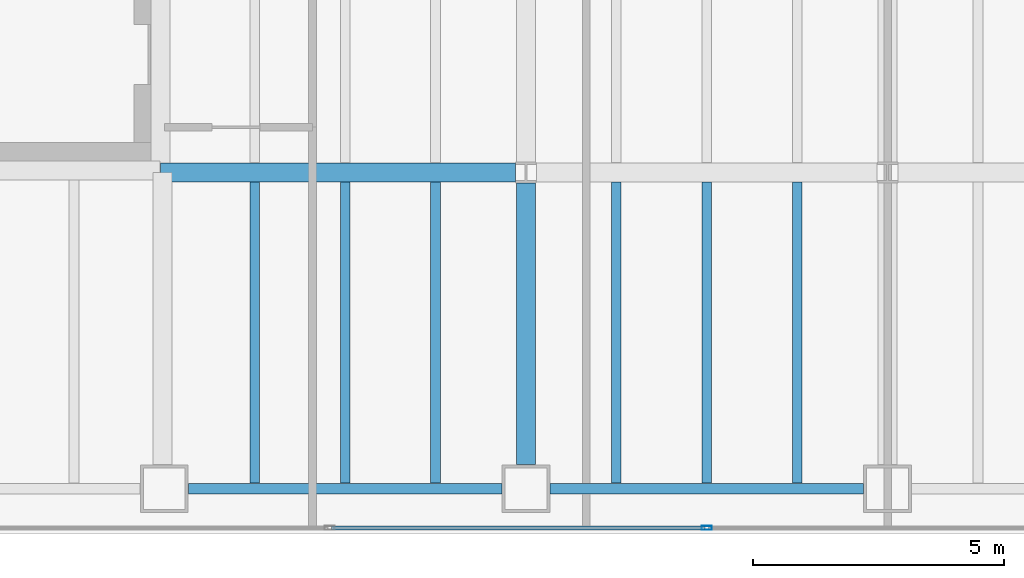
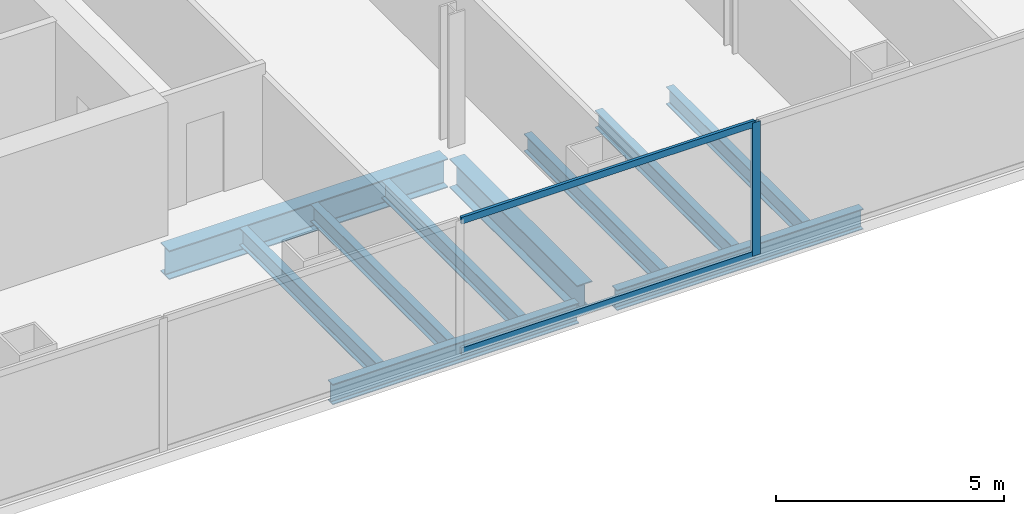
# One storey, part 4 of 23: 10 beams, 3 members, 1 element without a shape of its own.
"""IFC4 building model written with IfcOpenShell, lengths in metres."""

import ifcopenshell
import ifcopenshell.guid

model = None  # the IFC model being written
_history = None  # IfcOwnerHistory: only IFC2X3 demands one
_inside = {}  # id of a spatial element -> (the spatial element, [elements in it])
_under = {}  # id of a project, library or spatial element -> (it, [spatial elements below it])
_declared = {}  # id of a project -> (the project, [libraries it declares])
_typed = {}  # id of a type object -> (the type object, [elements of that type])
_made_of = {}  # id of a material, layer set ... -> (it, [elements and type objects made of it])


def new_model(schema):
    """Start an empty IFC model of exactly this schema.

    Asked for "IFC4X3", IfcOpenShell would pick the latest addendum, in which some entities
    have other attributes; the version numbers below select the first issue.
    IFC2X3 requires an IfcOwnerHistory on every rooted entity: one is made here for all.
    """
    global model, _history
    if schema == "IFC4X3":
        model = ifcopenshell.file(schema_version=(4, 3, 0, 0))
    else:
        model = ifcopenshell.file(schema=schema)
    _inside.clear()
    _under.clear()
    _declared.clear()
    _typed.clear()
    _made_of.clear()
    _history = None
    if model.schema == "IFC2X3":
        org = make("IfcOrganization", Name="unknown")
        user = make(
            "IfcPersonAndOrganization",
            ThePerson=make("IfcPerson", FamilyName="unknown"),
            TheOrganization=org,
        )
        app = make(
            "IfcApplication",
            ApplicationDeveloper=org,
            Version="unknown",
            ApplicationFullName="unknown",
            ApplicationIdentifier="unknown",
        )
        _history = make(
            "IfcOwnerHistory",
            OwningUser=user,
            OwningApplication=app,
            ChangeAction="ADDED",
            CreationDate=0,
        )
    return model


def make(cls, **values):
    """One entity of the class cls with the attributes given. An attribute that is None is left unset."""
    return model.create_entity(
        cls, **{name: value for name, value in values.items() if value is not None}
    )


def rooted(cls, **values):
    """An entity with a GlobalId (a new one), such as an element, a storey or a relation."""
    return make(cls, GlobalId=ifcopenshell.guid.new(), OwnerHistory=_history, **values)


def si_unit(unit_type, name, prefix=None):
    """IfcSIUnit, for example si_unit("LENGTHUNIT", "METRE", prefix="MILLI")."""
    return make("IfcSIUnit", UnitType=unit_type, Prefix=prefix, Name=name)


def assignment(units):
    """IfcUnitAssignment: the units of a project."""
    return None if units is None else make("IfcUnitAssignment", Units=units)


def point(xyz):
    """IfcCartesianPoint."""
    return None if xyz is None else make("IfcCartesianPoint", Coordinates=xyz)


def direction(xyz):
    """IfcDirection."""
    return None if xyz is None else make("IfcDirection", DirectionRatios=xyz)


def frame(location, z_axis=None, x_axis=None):
    """IfcAxis2Placement3D, a coordinate frame: its origin and axes. An axis left out is left unset."""
    return make(
        "IfcAxis2Placement3D",
        Location=point(location),
        Axis=direction(z_axis),
        RefDirection=direction(x_axis),
    )


def frame_2d(location, x_axis=None):
    """IfcAxis2Placement2D, a coordinate frame in the plane: its origin and x axis."""
    return make(
        "IfcAxis2Placement2D", Location=point(location), RefDirection=direction(x_axis)
    )


def origin():
    """The frame at (0, 0, 0) with its axes left unset."""
    return frame((0.0, 0.0, 0.0))


def origin_2d():
    """The frame at (0, 0) in the plane with its x axis left unset."""
    return frame_2d((0.0, 0.0))


def place(relative_to, where):
    """IfcLocalPlacement: puts the frame where relative to a parent placement (None: the world)."""
    return make(
        "IfcLocalPlacement", PlacementRelTo=relative_to, RelativePlacement=where
    )


def context(
    kind, dimensions, precision=None, world=None, true_north=None, identifier=None
):
    """IfcGeometricRepresentationContext, for example the 3D "Model" context."""
    return make(
        "IfcGeometricRepresentationContext",
        ContextIdentifier=identifier,
        ContextType=kind,
        CoordinateSpaceDimension=dimensions,
        Precision=precision,
        WorldCoordinateSystem=world,
        TrueNorth=true_north,
    )


def subcontext(parent, identifier, kind, view, scale=None):
    """IfcGeometricRepresentationSubContext, for example "Body" below "Model"."""
    return make(
        "IfcGeometricRepresentationSubContext",
        ContextIdentifier=identifier,
        ContextType=kind,
        ParentContext=parent,
        TargetScale=scale,
        TargetView=view,
    )


def project(units=None, contexts=None):
    """IfcProject with its units and contexts."""
    return rooted(
        "IfcProject",
        Name="project",
        RepresentationContexts=contexts,
        UnitsInContext=assignment(units),
    )


def spatial(cls, under=None, at=None, **own):
    """A site, building, storey or space (cls), placed at a placement, below another one or the project."""
    s = rooted(cls, ObjectPlacement=at, **own)
    if under is not None:
        _under.setdefault(under.id(), (under, []))[1].append(s)
    return s


def profile(cls, at=None, kind="AREA", **sizes):
    """A parametric profile (cls). Its sizes go by their IFC names, for example OverallWidth=200.0."""
    return make(cls, ProfileType=kind, Position=at, **sizes)


def hollow_rectangle(**sizes):
    """IfcRectangleHollowProfileDef."""
    return profile("IfcRectangleHollowProfileDef", **sizes)


def i_section(**sizes):
    """IfcIShapeProfileDef."""
    return profile("IfcIShapeProfileDef", **sizes)


def extrude(swept, where, along, depth):
    """IfcExtrudedAreaSolid: the profile swept, set in the frame where, extruded along a direction by depth."""
    return make(
        "IfcExtrudedAreaSolid",
        SweptArea=swept,
        Position=where,
        ExtrudedDirection=direction(along),
        Depth=depth,
    )


def shape(context_of_items, identifier, shape_type, items):
    """IfcShapeRepresentation: the items that make up one representation, for example the "Body"."""
    return make(
        "IfcShapeRepresentation",
        ContextOfItems=context_of_items,
        RepresentationIdentifier=identifier,
        RepresentationType=shape_type,
        Items=items,
    )


def material(Name=None, Category=None):
    """IfcMaterial."""
    return make("IfcMaterial", Name=Name, Category=Category)


def material_profile(
    of_material, cross_section, Name=None, Category=None, Priority=None
):
    """IfcMaterialProfile: a cross section and its material."""
    return make(
        "IfcMaterialProfile",
        Name=Name,
        Material=of_material,
        Profile=cross_section,
        Priority=Priority,
        Category=Category,
    )


def profile_set(profiles, Name=None, composite=None):
    """IfcMaterialProfileSet."""
    return make(
        "IfcMaterialProfileSet",
        Name=Name,
        MaterialProfiles=profiles,
        CompositeProfile=composite,
    )


def made_of(thing, what):
    """Note that an element or type object is made of a material, layer set ...; save() writes the relation."""
    if what is not None:
        _made_of.setdefault(what.id(), (what, []))[1].append(thing)
    return thing


def type_object(cls, material=None, **own):
    """A type object (cls), such as IfcWallType, which elements share."""
    return made_of(rooted(cls, **own), material)


def element(
    cls,
    number,
    at=None,
    inside=None,
    cuts=None,
    type_object=None,
    material=None,
    context=None,
    identifier="Body",
    shape_type=None,
    held_by="IfcProductDefinitionShape",
    body=None,
    shapes=None,
    **own,
):
    """One element of the class cls, such as IfcWall. Its Tag is "e" and its number.

    at: its placement. inside: the storey or other place that contains it. cuts: it is an
    opening in that element (IfcRelVoidsElement). A single representation is given by context,
    identifier, shape_type and body (its items); several are given by shapes. held_by: the class
    of the entity that holds the representations. save() writes the other relations.
    """
    e = rooted(cls, Tag="e%d" % number, ObjectPlacement=at, **own)
    if body is not None:
        shapes = [shape(context, identifier, shape_type, body)]
    if shapes is not None:
        e.Representation = make(held_by, Representations=shapes)
    if inside is not None:
        _inside.setdefault(inside.id(), (inside, []))[1].append(e)
    if cuts is not None:
        rooted(
            "IfcRelVoidsElement", RelatingBuildingElement=cuts, RelatedOpeningElement=e
        )
    if type_object is not None:
        _typed.setdefault(type_object.id(), (type_object, []))[1].append(e)
    return made_of(e, material)


def aggregate(whole, parts):
    """IfcRelAggregates: a whole, such as a stair, and the parts it consists of."""
    return rooted("IfcRelAggregates", RelatingObject=whole, RelatedObjects=parts)


def save(model, path):
    """Write the relations noted so far, then the file.

    IfcRelAggregates (storeys below a building ...), IfcRelContainedInSpatialStructure (elements
    in a storey), IfcRelDefinesByType, IfcRelAssociatesMaterial and IfcRelDeclares: one each for
    every whole, place, type object, material and project.
    """
    for whole, parts in _under.values():
        aggregate(whole, parts)
    for where, things in _inside.values():
        rooted(
            "IfcRelContainedInSpatialStructure",
            RelatedElements=things,
            RelatingStructure=where,
        )
    for kind, things in _typed.values():
        rooted("IfcRelDefinesByType", RelatedObjects=things, RelatingType=kind)
    for what, things in _made_of.values():
        rooted("IfcRelAssociatesMaterial", RelatedObjects=things, RelatingMaterial=what)
    for by, libraries in _declared.values():
        rooted("IfcRelDeclares", RelatingContext=by, RelatedDefinitions=libraries)
    model.write(path)


model = new_model("IFC4")

# Units and contexts
model_context = context("Model", 3, precision=1e-05, world=origin(), true_north=direction((0.0, 1.0)))
body_context = subcontext(model_context, "Body", "Model", "MODEL_VIEW")
ifc_project = project(units=[si_unit("LENGTHUNIT", "METRE"), si_unit("AREAUNIT", "SQUARE_METRE"), si_unit("VOLUMEUNIT", "CUBIC_METRE"), si_unit("PLANEANGLEUNIT", "RADIAN"), si_unit("MASSUNIT", "GRAM", prefix="KILO")], contexts=[model_context])

# Site, building, storey
site_placement = place(None, origin())
site = spatial("IfcSite", under=ifc_project, at=site_placement, CompositionType="ELEMENT")
building_placement = place(site_placement, origin())
building = spatial("IfcBuilding", under=site, at=building_placement, Name="Cobrela Telecom Tower", CompositionType="ELEMENT")
storey_placement = place(building_placement, frame((0.0, 0.0, 81.199951171875)))
storey = spatial("IfcBuildingStorey", under=building, at=storey_placement, Name="L20", CompositionType="ELEMENT", Elevation=81.199951171875)

# Beams
ifc_material_1 = material(Name="Steel ASTM A992 Grade 50", Category="steel")
ifc_material_profile_1 = material_profile(ifc_material_1, i_section(OverallWidth=0.381103515625, OverallDepth=0.77197265625, WebThickness=0.0166015625, FlangeThickness=0.027099609375, FilletRadius=0.01904296875, at=origin_2d()), Name="W30X173")
ifc_profile_set_1 = profile_set([ifc_material_profile_1], Name="Steel ASTM A992 Grade 50")
beam_type_1 = type_object("IfcBeamType", Name="BM-GIRD-04", PredefinedType="USERDEFINED", material=ifc_profile_set_1)
beam_1_placement = place(storey_placement, frame((14.324951171875, 7.199951171875, -0.666015625), z_axis=(1.0, 0.0, 0.0), x_axis=(0.0, 1.0, 0.0)))
element("IfcBeam", 1, at=beam_1_placement, inside=storey, type_object=beam_type_1, Name="L20 Primary Girder X08", ObjectType="GIRDER", PredefinedType="USERDEFINED", context=body_context, shape_type="SweptSolid", body=[
    extrude(i_section(OverallWidth=0.381103515625, OverallDepth=0.77197265625, WebThickness=0.0166015625, FlangeThickness=0.027099609375, FilletRadius=0.01904296875, at=origin_2d()), origin(), (0.0, 0.0, 1.0), 7.0654296875),
])
beam_2_placement = place(storey_placement, frame((21.60009765625, 1.3798828125, -0.666015625), z_axis=(0.0, 1.0, 0.0), x_axis=(-1.0, 0.0, 0.0)))
element("IfcBeam", 2, at=beam_2_placement, inside=storey, type_object=beam_type_1, Name="L20 Primary Girder Y40", ObjectType="GIRDER", PredefinedType="USERDEFINED", context=body_context, shape_type="SweptSolid", body=[
    extrude(i_section(OverallWidth=0.381103515625, OverallDepth=0.77197265625, WebThickness=0.0166015625, FlangeThickness=0.027099609375, FilletRadius=0.01904296875, at=origin_2d()), origin(), (0.0, 0.0, 1.0), 5.610595703125),
])
ifc_material_profile_2 = material_profile(ifc_material_1, i_section(OverallWidth=0.193115234375, OverallDepth=0.467041015625, WebThickness=0.011474609375, FlangeThickness=0.01904296875, FilletRadius=0.012939453125, at=origin_2d()), Name="W18X65")
ifc_profile_set_2 = profile_set([ifc_material_profile_2], Name="Steel ASTM A992 Grade 50")
beam_type_2 = type_object("IfcBeamType", Name="BM-JOIST-03", PredefinedType="JOIST", material=ifc_profile_set_2)
for number, where, z_axis, x_axis, name in (
    (3, (16.199951171875, 1.011474609375, -0.513427734375), (0.0, 1.0, 0.0), (-1.0, 0.0, 0.0), "L20 Secondary Composite Floor Beam J07"),
    (4, (18.0, 1.011474609375, -0.513427734375), (0.0, 1.0, 0.0), (-1.0, 0.0, 0.0), "L20 Secondary Composite Floor Beam J13"),
    (5, (19.800048828125, 1.011474609375, -0.513427734375), (0.0, 1.0, 0.0), (-1.0, 0.0, 0.0), "L20 Secondary Composite Floor Beam J19"),
    (6, (23.39990234375, 1.011474609375, -0.513427734375), (0.0, 1.0, 0.0), (-1.0, 0.0, 0.0), "L20 Secondary Composite Floor Beam J25"),
    (7, (25.199951171875, 1.011474609375, -0.513427734375), (0.0, 1.0, 0.0), (-1.0, 0.0, 0.0), "L20 Secondary Composite Floor Beam J31"),
    (8, (27.0, 1.011474609375, -0.513427734375), (0.0, 1.0, 0.0), (-1.0, 0.0, 0.0), "L20 Secondary Composite Floor Beam J36"),
):
    element("IfcBeam", number, at=place(storey_placement, frame(where, z_axis=z_axis, x_axis=x_axis)), inside=storey, type_object=beam_type_2, Name=name, PredefinedType="JOIST", context=body_context, shape_type="SweptSolid", body=[
        extrude(i_section(OverallWidth=0.193115234375, OverallDepth=0.467041015625, WebThickness=0.011474609375, FlangeThickness=0.01904296875, FilletRadius=0.012939453125, at=origin_2d()), origin(), (0.0, 0.0, 1.0), 5.992919921875),
    ])
ifc_material_profile_3 = material_profile(ifc_material_1, i_section(OverallWidth=0.212890625, OverallDepth=0.549072265625, WebThickness=0.0146484375, FlangeThickness=0.023681640625, FilletRadius=0.013916015625, at=origin_2d()), Name="W21X93")
ifc_profile_set_3 = profile_set([ifc_material_profile_3], Name="Steel ASTM A992 Grade 50")
beam_type_3 = type_object("IfcBeamType", Name="BM-SPAND-03", PredefinedType="SPANDREL", material=ifc_profile_set_3)
beam_3_placement = place(storey_placement, frame((14.8798828125, 0.89990234375, -0.554443359375), z_axis=(1.0, 0.0, 0.0), x_axis=(0.0, 1.0, 0.0)))
element("IfcBeam", 9, at=beam_3_placement, inside=storey, type_object=beam_type_3, Name="L20 Perimeter Spandrel X02", PredefinedType="SPANDREL", context=body_context, shape_type="SweptSolid", body=[
    extrude(i_section(OverallWidth=0.212890625, OverallDepth=0.549072265625, WebThickness=0.0146484375, FlangeThickness=0.023681640625, FilletRadius=0.013916015625, at=origin_2d()), origin(), (0.0, 0.0, 1.0), 6.240234375),
])
beam_4_placement = place(storey_placement, frame((22.080078125, 0.89990234375, -0.554443359375), z_axis=(1.0, 0.0, 0.0), x_axis=(0.0, 1.0, 0.0)))
element("IfcBeam", 10, at=beam_4_placement, inside=storey, type_object=beam_type_3, Name="L20 Perimeter Spandrel X03", PredefinedType="SPANDREL", context=body_context, shape_type="SweptSolid", body=[
    extrude(i_section(OverallWidth=0.212890625, OverallDepth=0.549072265625, WebThickness=0.0146484375, FlangeThickness=0.023681640625, FilletRadius=0.013916015625, at=origin_2d()), origin(), (0.0, 0.0, 1.0), 6.239990234375),
])

# Curtain wall, members
ifc_material_2 = material(Name="Anodized Bronze Aluminium 6063-T6", Category="aluminium")
curtain_wall_type = type_object("IfcCurtainWallType", Name="CW-SYS-DATA", PredefinedType="USERDEFINED", material=ifc_material_2)
curtain_wall_placement = place(storey_placement, origin())
curtain_wall = element("IfcCurtainWall", 11, at=curtain_wall_placement, inside=storey, type_object=curtain_wall_type, Name="L20 Unitised Bronze Curtain Wall 17", ObjectType="UNITISED CURTAIN WALL", PredefinedType="USERDEFINED")
ifc_material_profile_4 = material_profile(ifc_material_2, hollow_rectangle(XDim=0.080078125, YDim=0.199951171875, WallThickness=0.00390625, at=origin_2d()), Name="ALU 80x200x4")
ifc_profile_set_4 = profile_set([ifc_material_profile_4], Name="Anodized Bronze Aluminium 6063-T6")
member_type_1 = type_object("IfcMemberType", Name="CW-SYS-DATA-MUL", PredefinedType="MULLION", material=ifc_profile_set_4)
member_1_placement = place(storey_placement, frame((25.199951171875, 0.1201171875, 0.0), z_axis=(0.0, 0.0, 1.0), x_axis=(0.0, -1.0, 0.0)))
member_1 = element("IfcMember", 12, at=member_1_placement, type_object=member_type_1, Name="CW-DATA mullion 4", PredefinedType="MULLION", context=body_context, shape_type="SweptSolid", body=[
    extrude(hollow_rectangle(XDim=0.080078125, YDim=0.199951171875, WallThickness=0.00390625, at=origin_2d()), origin(), (0.0, 0.0, 1.0), 3.570068359375),
])
ifc_material_profile_5 = material_profile(ifc_material_2, hollow_rectangle(XDim=0.074951171875, YDim=0.179931640625, WallThickness=0.00390625, at=origin_2d()), Name="ALU 75x180x4")
ifc_profile_set_5 = profile_set([ifc_material_profile_5], Name="Anodized Bronze Aluminium 6063-T6")
member_type_2 = type_object("IfcMemberType", Name="CW-SYS-DATA-TRN", PredefinedType="USERDEFINED", material=ifc_profile_set_5)
member_2_placement = place(storey_placement, frame((25.159912109375, 0.1201171875, 0.03759765625), z_axis=(-1.0, 0.0, 0.0), x_axis=(0.0, -1.0, 0.0)))
member_2 = element("IfcMember", 13, at=member_2_placement, type_object=member_type_2, Name="CW-DATA transom 4.1", ObjectType="TRANSOM", PredefinedType="USERDEFINED", context=body_context, shape_type="SweptSolid", body=[
    extrude(hollow_rectangle(XDim=0.074951171875, YDim=0.179931640625, WallThickness=0.00390625, at=origin_2d()), origin(), (0.0, 0.0, 1.0), 7.429931640625),
])
member_3_placement = place(storey_placement, frame((25.159912109375, 0.1201171875, 3.532470703125), z_axis=(-1.0, 0.0, 0.0), x_axis=(0.0, -1.0, 0.0)))
member_3 = element("IfcMember", 14, at=member_3_placement, type_object=member_type_2, Name="CW-DATA transom 4.2", ObjectType="TRANSOM", PredefinedType="USERDEFINED", context=body_context, shape_type="SweptSolid", body=[
    extrude(hollow_rectangle(XDim=0.074951171875, YDim=0.179931640625, WallThickness=0.00390625, at=origin_2d()), origin(), (0.0, 0.0, 1.0), 7.429931640625),
])
aggregate(curtain_wall, [member_1, member_2, member_3])

save(model, "model.ifc")
